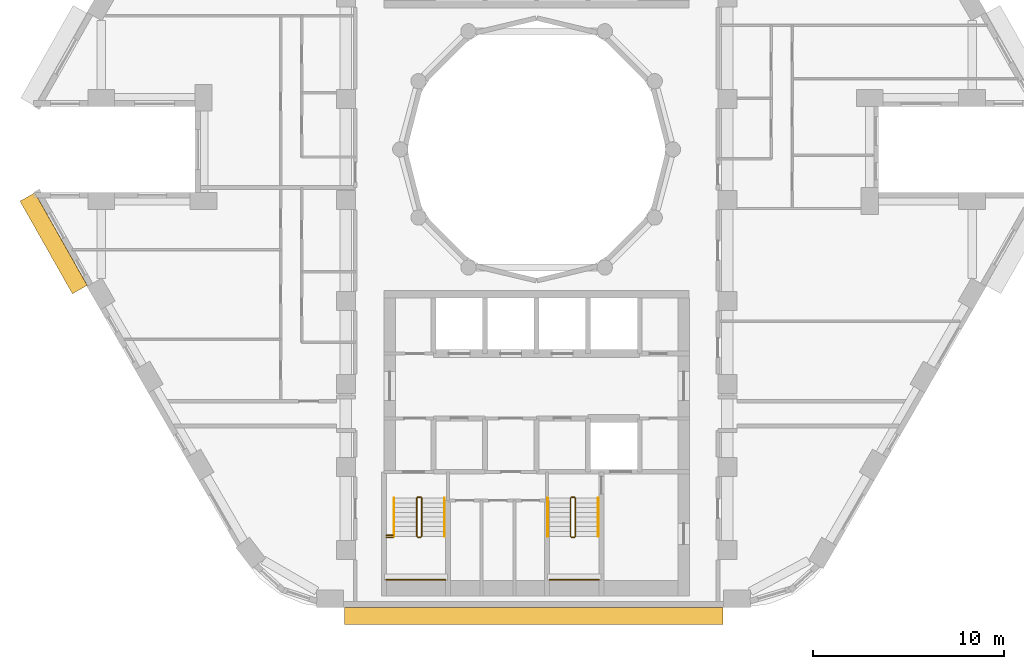
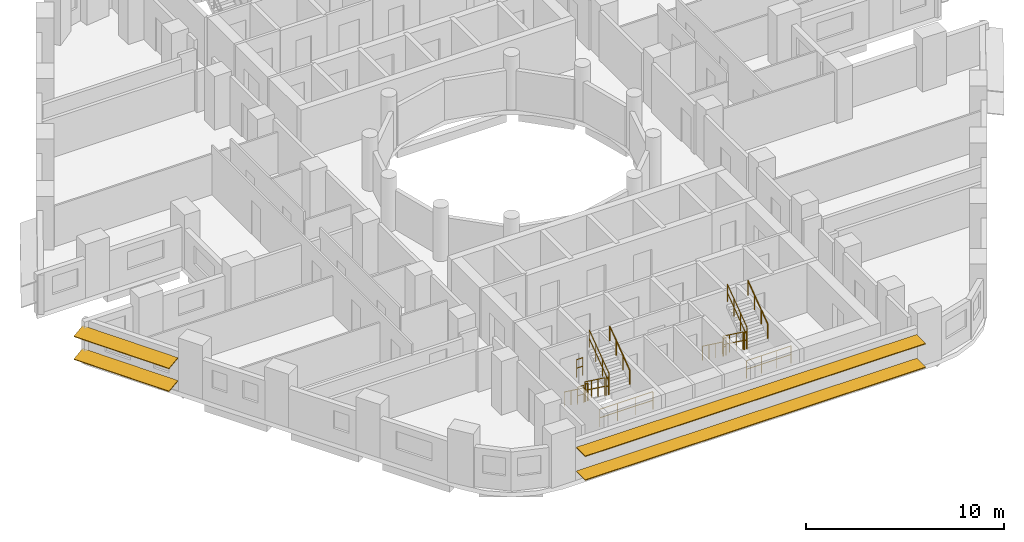
# One storey, part 10 of 12: 16 railings, 4 shading devices.
"""IFC4 building model written with IfcOpenShell, lengths in metres."""

import ifcopenshell
import ifcopenshell.guid

model = None  # the IFC model being written
_history = None  # IfcOwnerHistory: only IFC2X3 demands one
_inside = {}  # id of a spatial element -> (the spatial element, [elements in it])
_under = {}  # id of a project, library or spatial element -> (it, [spatial elements below it])
_declared = {}  # id of a project -> (the project, [libraries it declares])
_typed = {}  # id of a type object -> (the type object, [elements of that type])
_made_of = {}  # id of a material, layer set ... -> (it, [elements and type objects made of it])


def new_model(schema):
    """Start an empty IFC model of exactly this schema.

    Asked for "IFC4X3", IfcOpenShell would pick the latest addendum, in which some entities
    have other attributes; the version numbers below select the first issue.
    IFC2X3 requires an IfcOwnerHistory on every rooted entity: one is made here for all.
    """
    global model, _history
    if schema == "IFC4X3":
        model = ifcopenshell.file(schema_version=(4, 3, 0, 0))
    else:
        model = ifcopenshell.file(schema=schema)
    _inside.clear()
    _under.clear()
    _declared.clear()
    _typed.clear()
    _made_of.clear()
    _history = None
    if model.schema == "IFC2X3":
        org = make("IfcOrganization", Name="unknown")
        user = make(
            "IfcPersonAndOrganization",
            ThePerson=make("IfcPerson", FamilyName="unknown"),
            TheOrganization=org,
        )
        app = make(
            "IfcApplication",
            ApplicationDeveloper=org,
            Version="unknown",
            ApplicationFullName="unknown",
            ApplicationIdentifier="unknown",
        )
        _history = make(
            "IfcOwnerHistory",
            OwningUser=user,
            OwningApplication=app,
            ChangeAction="ADDED",
            CreationDate=0,
        )
    return model


def make(cls, **values):
    """One entity of the class cls with the attributes given. An attribute that is None is left unset."""
    return model.create_entity(
        cls, **{name: value for name, value in values.items() if value is not None}
    )


def rooted(cls, **values):
    """An entity with a GlobalId (a new one), such as an element, a storey or a relation."""
    return make(cls, GlobalId=ifcopenshell.guid.new(), OwnerHistory=_history, **values)


def si_unit(unit_type, name, prefix=None):
    """IfcSIUnit, for example si_unit("LENGTHUNIT", "METRE", prefix="MILLI")."""
    return make("IfcSIUnit", UnitType=unit_type, Prefix=prefix, Name=name)


def assignment(units):
    """IfcUnitAssignment: the units of a project."""
    return None if units is None else make("IfcUnitAssignment", Units=units)


def point(xyz):
    """IfcCartesianPoint."""
    return None if xyz is None else make("IfcCartesianPoint", Coordinates=xyz)


def direction(xyz):
    """IfcDirection."""
    return None if xyz is None else make("IfcDirection", DirectionRatios=xyz)


def frame(location, z_axis=None, x_axis=None):
    """IfcAxis2Placement3D, a coordinate frame: its origin and axes. An axis left out is left unset."""
    return make(
        "IfcAxis2Placement3D",
        Location=point(location),
        Axis=direction(z_axis),
        RefDirection=direction(x_axis),
    )


def frame_2d(location, x_axis=None):
    """IfcAxis2Placement2D, a coordinate frame in the plane: its origin and x axis."""
    return make(
        "IfcAxis2Placement2D", Location=point(location), RefDirection=direction(x_axis)
    )


def origin():
    """The frame at (0, 0, 0) with its axes left unset."""
    return frame((0.0, 0.0, 0.0))


def origin_2d():
    """The frame at (0, 0) in the plane with its x axis left unset."""
    return frame_2d((0.0, 0.0))


def place(relative_to, where):
    """IfcLocalPlacement: puts the frame where relative to a parent placement (None: the world)."""
    return make(
        "IfcLocalPlacement", PlacementRelTo=relative_to, RelativePlacement=where
    )


def context(
    kind, dimensions, precision=None, world=None, true_north=None, identifier=None
):
    """IfcGeometricRepresentationContext, for example the 3D "Model" context."""
    return make(
        "IfcGeometricRepresentationContext",
        ContextIdentifier=identifier,
        ContextType=kind,
        CoordinateSpaceDimension=dimensions,
        Precision=precision,
        WorldCoordinateSystem=world,
        TrueNorth=true_north,
    )


def subcontext(parent, identifier, kind, view, scale=None):
    """IfcGeometricRepresentationSubContext, for example "Body" below "Model"."""
    return make(
        "IfcGeometricRepresentationSubContext",
        ContextIdentifier=identifier,
        ContextType=kind,
        ParentContext=parent,
        TargetScale=scale,
        TargetView=view,
    )


def project(units=None, contexts=None):
    """IfcProject with its units and contexts."""
    return rooted(
        "IfcProject",
        Name="project",
        RepresentationContexts=contexts,
        UnitsInContext=assignment(units),
    )


def spatial(cls, under=None, at=None, **own):
    """A site, building, storey or space (cls), placed at a placement, below another one or the project."""
    s = rooted(cls, ObjectPlacement=at, **own)
    if under is not None:
        _under.setdefault(under.id(), (under, []))[1].append(s)
    return s


def profile(cls, at=None, kind="AREA", **sizes):
    """A parametric profile (cls). Its sizes go by their IFC names, for example OverallWidth=200.0."""
    return make(cls, ProfileType=kind, Position=at, **sizes)


def rectangle(**sizes):
    """IfcRectangleProfileDef."""
    return profile("IfcRectangleProfileDef", **sizes)


def circle(**sizes):
    """IfcCircleProfileDef."""
    return profile("IfcCircleProfileDef", **sizes)


def extrude(swept, where, along, depth):
    """IfcExtrudedAreaSolid: the profile swept, set in the frame where, extruded along a direction by depth."""
    return make(
        "IfcExtrudedAreaSolid",
        SweptArea=swept,
        Position=where,
        ExtrudedDirection=direction(along),
        Depth=depth,
    )


def shape(context_of_items, identifier, shape_type, items):
    """IfcShapeRepresentation: the items that make up one representation, for example the "Body"."""
    return make(
        "IfcShapeRepresentation",
        ContextOfItems=context_of_items,
        RepresentationIdentifier=identifier,
        RepresentationType=shape_type,
        Items=items,
    )


def material(Name=None, Category=None):
    """IfcMaterial."""
    return make("IfcMaterial", Name=Name, Category=Category)


def material_profile(
    of_material, cross_section, Name=None, Category=None, Priority=None
):
    """IfcMaterialProfile: a cross section and its material."""
    return make(
        "IfcMaterialProfile",
        Name=Name,
        Material=of_material,
        Profile=cross_section,
        Priority=Priority,
        Category=Category,
    )


def profile_set(profiles, Name=None, composite=None):
    """IfcMaterialProfileSet."""
    return make(
        "IfcMaterialProfileSet",
        Name=Name,
        MaterialProfiles=profiles,
        CompositeProfile=composite,
    )


def made_of(thing, what):
    """Note that an element or type object is made of a material, layer set ...; save() writes the relation."""
    if what is not None:
        _made_of.setdefault(what.id(), (what, []))[1].append(thing)
    return thing


def type_object(cls, material=None, **own):
    """A type object (cls), such as IfcWallType, which elements share."""
    return made_of(rooted(cls, **own), material)


def element(
    cls,
    number,
    at=None,
    inside=None,
    cuts=None,
    type_object=None,
    material=None,
    context=None,
    identifier="Body",
    shape_type=None,
    held_by="IfcProductDefinitionShape",
    body=None,
    shapes=None,
    **own,
):
    """One element of the class cls, such as IfcWall. Its Tag is "e" and its number.

    at: its placement. inside: the storey or other place that contains it. cuts: it is an
    opening in that element (IfcRelVoidsElement). A single representation is given by context,
    identifier, shape_type and body (its items); several are given by shapes. held_by: the class
    of the entity that holds the representations. save() writes the other relations.
    """
    e = rooted(cls, Tag="e%d" % number, ObjectPlacement=at, **own)
    if body is not None:
        shapes = [shape(context, identifier, shape_type, body)]
    if shapes is not None:
        e.Representation = make(held_by, Representations=shapes)
    if inside is not None:
        _inside.setdefault(inside.id(), (inside, []))[1].append(e)
    if cuts is not None:
        rooted(
            "IfcRelVoidsElement", RelatingBuildingElement=cuts, RelatedOpeningElement=e
        )
    if type_object is not None:
        _typed.setdefault(type_object.id(), (type_object, []))[1].append(e)
    return made_of(e, material)


def aggregate(whole, parts):
    """IfcRelAggregates: a whole, such as a stair, and the parts it consists of."""
    return rooted("IfcRelAggregates", RelatingObject=whole, RelatedObjects=parts)


def save(model, path):
    """Write the relations noted so far, then the file.

    IfcRelAggregates (storeys below a building ...), IfcRelContainedInSpatialStructure (elements
    in a storey), IfcRelDefinesByType, IfcRelAssociatesMaterial and IfcRelDeclares: one each for
    every whole, place, type object, material and project.
    """
    for whole, parts in _under.values():
        aggregate(whole, parts)
    for where, things in _inside.values():
        rooted(
            "IfcRelContainedInSpatialStructure",
            RelatedElements=things,
            RelatingStructure=where,
        )
    for kind, things in _typed.values():
        rooted("IfcRelDefinesByType", RelatedObjects=things, RelatingType=kind)
    for what, things in _made_of.values():
        rooted("IfcRelAssociatesMaterial", RelatedObjects=things, RelatingMaterial=what)
    for by, libraries in _declared.values():
        rooted("IfcRelDeclares", RelatingContext=by, RelatedDefinitions=libraries)
    model.write(path)


model = new_model("IFC4")

# Units and contexts
model_context = context("Model", 3, precision=1e-05, world=origin(), true_north=direction((0.0, 1.0)))
body_context = subcontext(model_context, "Body", "Model", "MODEL_VIEW")
ifc_project = project(units=[si_unit("LENGTHUNIT", "METRE"), si_unit("AREAUNIT", "SQUARE_METRE"), si_unit("VOLUMEUNIT", "CUBIC_METRE"), si_unit("PLANEANGLEUNIT", "RADIAN"), si_unit("MASSUNIT", "GRAM", prefix="KILO")], contexts=[model_context])

# Site, building, storey
site_placement = place(None, origin())
site = spatial("IfcSite", under=ifc_project, at=site_placement, CompositionType="ELEMENT")
building_placement = place(site_placement, origin())
building = spatial("IfcBuilding", under=site, at=building_placement, Name="Nakaniwa Court", CompositionType="ELEMENT")
storey_placement = place(building_placement, frame((0.0, 0.0, 97.5)))
storey = spatial("IfcBuildingStorey", under=building, at=storey_placement, Name="L25", CompositionType="ELEMENT", Elevation=97.5)

# Shading devices
ifc_material_1 = material(Name="Perforated charcoal ceramic louvre blade")
ifc_material_profile = material_profile(ifc_material_1, rectangle(XDim=0.89990234375, YDim=0.050048828125, at=origin_2d()), Name="Perforated ceramic louvre blade")
ifc_profile_set = profile_set([ifc_material_profile], Name="Perforated charcoal ceramic louvre blade")
shading_device_type = type_object("IfcShadingDeviceType", Name="Perforated ceramic louvre blade", PredefinedType="JALOUSIE", material=ifc_profile_set)
for number, where, z_axis, x_axis, name in (
    (1, (53.31689453125, 77.508056640625, 0.550048828125), (0.492438058427, -0.870347493024, 0.0), (0.862701960504, 0.488112256124, 0.132256390257), "L25 perforated ceramic louvre blade w20 1"),
    (2, (53.31689453125, 77.508056640625, 1.955810546875), (0.492438058427, -0.870347493024, 0.0), (0.862701960504, 0.488112256124, 0.132256390257), "L25 perforated ceramic louvre blade w20 2"),
):
    element("IfcShadingDevice", number, at=place(storey_placement, frame(where, z_axis=z_axis, x_axis=x_axis)), inside=storey, type_object=shading_device_type, Name=name, PredefinedType="JALOUSIE", context=body_context, shape_type="SweptSolid", body=[
        extrude(rectangle(XDim=0.89990234375, YDim=0.050048828125, at=origin_2d()), origin(), (0.0, 0.0, 1.0), 5.576416015625),
    ])
for number, where, z_axis, x_axis, name in (
    (3, (69.92138671875, 55.550048828125, 0.550048828125), (1.0, 0.0, 0.0), (0.0, 1.0, 0.0), "L25 perforated ceramic louvre blade w26 1"),
    (4, (69.92138671875, 55.550048828125, 2.014892578125), (1.0, 0.0, 0.0), (0.0, 1.0, 0.0), "L25 perforated ceramic louvre blade w26 2"),
):
    element("IfcShadingDevice", number, at=place(storey_placement, frame(where, z_axis=z_axis, x_axis=x_axis)), inside=storey, type_object=shading_device_type, Name=name, PredefinedType="JALOUSIE", context=body_context, shape_type="SweptSolid", body=[
        extrude(rectangle(XDim=0.89990234375, YDim=0.050048828125, at=origin_2d()), origin(), (0.0, 0.0, 1.0), 19.839599609375),
    ])

# Railings
ifc_material_2 = material(Name="Black powder coated steel guard", Category="steel")
railing_type_1 = type_object("IfcRailingType", Name="Stair guard 1100", PredefinedType="GUARDRAIL", material=ifc_material_2)
railing_1_placement = place(storey_placement, frame((73.72509765625, 61.72509765625, 0.183349609375)))
element("IfcRailing", 5, at=railing_1_placement, inside=storey, type_object=railing_type_1, Name="L25 ST3 stair guard 1", PredefinedType="GUARDRAIL", context=body_context, shape_type="SweptSolid", body=[
    extrude(circle(Radius=0.02392578125, at=origin_2d()), frame((0.0, 0.0, 1.076171875), z_axis=(0.0, -0.806426902644, 0.591333789573), x_axis=(1.0, 0.0, 0.0)), (0.0, 0.0, 1.0), 2.47998046875),
    extrude(circle(Radius=0.02392578125, at=origin_2d()), frame((0.0, 0.0, 0.550048828125), z_axis=(0.0, -0.806426902644, 0.591333789573), x_axis=(1.0, 0.0, 0.0)), (0.0, 0.0, 1.0), 2.47998046875),
    extrude(circle(Radius=0.02099609375, at=origin_2d()), origin(), (0.0, 0.0, 1.0), 1.052001953125),
    extrude(circle(Radius=0.02099609375, at=origin_2d()), frame((0.0, -0.666748046875, 0.48876953125)), (0.0, 0.0, 1.0), 1.052001953125),
    extrude(circle(Radius=0.02099609375, at=origin_2d()), frame((0.0, -1.333251953125, 0.977783203125)), (0.0, 0.0, 1.0), 1.052001953125),
    extrude(circle(Radius=0.02099609375, at=origin_2d()), frame((0.0, -2.0, 1.466552734375)), (0.0, 0.0, 1.0), 1.052001953125),
])
railing_2_placement = place(storey_placement, frame((73.77490234375, 59.675048828125, 1.64990234375)))
element("IfcRailing", 6, at=railing_2_placement, inside=storey, type_object=railing_type_1, Name="L25 ST3 stair guard 2", PredefinedType="GUARDRAIL", context=body_context, shape_type="SweptSolid", body=[
    extrude(circle(Radius=0.02392578125, at=origin_2d()), frame((0.0, 0.0, 1.076171875), z_axis=(1.0, 0.0, 0.0), x_axis=(0.0, 1.0, 0.0)), (0.0, 0.0, 1.0), 0.150146484375),
    extrude(circle(Radius=0.02392578125, at=origin_2d()), frame((0.0, 0.0, 0.550048828125), z_axis=(1.0, 0.0, 0.0), x_axis=(0.0, 1.0, 0.0)), (0.0, 0.0, 1.0), 0.150146484375),
    extrude(circle(Radius=0.02099609375, at=origin_2d()), origin(), (0.0, 0.0, 1.0), 1.052001953125),
    extrude(circle(Radius=0.02099609375, at=origin_2d()), frame((0.150146484375, 0.0, 0.0)), (0.0, 0.0, 1.0), 1.052001953125),
])
railing_3_placement = place(storey_placement, frame((73.97509765625, 59.72509765625, 1.833251953125)))
element("IfcRailing", 7, at=railing_3_placement, inside=storey, type_object=railing_type_1, Name="L25 ST3 stair guard 3", PredefinedType="GUARDRAIL", context=body_context, shape_type="SweptSolid", body=[
    extrude(circle(Radius=0.02392578125, at=origin_2d()), frame((0.0, 0.0, 1.076171875), z_axis=(0.0, 0.806379959628, 0.591397802423), x_axis=(-1.0, 0.0, 0.0)), (0.0, 0.0, 1.0), 2.480224609375),
    extrude(circle(Radius=0.02392578125, at=origin_2d()), frame((0.0, 0.0, 0.550048828125), z_axis=(0.0, 0.806379959628, 0.591397802423), x_axis=(-1.0, 0.0, 0.0)), (0.0, 0.0, 1.0), 2.480224609375),
    extrude(circle(Radius=0.02099609375, at=origin_2d()), origin(), (0.0, 0.0, 1.0), 1.052001953125),
    extrude(circle(Radius=0.02099609375, at=origin_2d()), frame((0.0, 0.666748046875, 0.489013671875)), (0.0, 0.0, 1.0), 1.052001953125),
    extrude(circle(Radius=0.02099609375, at=origin_2d()), frame((0.0, 1.333251953125, 0.977783203125)), (0.0, 0.0, 1.0), 1.052001953125),
    extrude(circle(Radius=0.02099609375, at=origin_2d()), frame((0.0, 2.0, 1.466796875)), (0.0, 0.0, 1.0), 1.052001953125),
])
railing_4_placement = place(storey_placement, frame((73.77490234375, 61.77490234375, 0.0)))
element("IfcRailing", 8, at=railing_4_placement, inside=storey, type_object=railing_type_1, Name="L25 ST3 stair guard 4", PredefinedType="GUARDRAIL", context=body_context, shape_type="SweptSolid", body=[
    extrude(circle(Radius=0.02392578125, at=origin_2d()), frame((0.0, 0.0, 1.076171875), z_axis=(1.0, 0.0, 0.0), x_axis=(0.0, 1.0, 0.0)), (0.0, 0.0, 1.0), 0.150146484375),
    extrude(circle(Radius=0.02392578125, at=origin_2d()), frame((0.0, 0.0, 0.550048828125), z_axis=(1.0, 0.0, 0.0), x_axis=(0.0, 1.0, 0.0)), (0.0, 0.0, 1.0), 0.150146484375),
    extrude(circle(Radius=0.02099609375, at=origin_2d()), origin(), (0.0, 0.0, 1.0), 1.052001953125),
    extrude(circle(Radius=0.02099609375, at=origin_2d()), frame((0.150146484375, 0.0, 0.0)), (0.0, 0.0, 1.0), 1.052001953125),
])
railing_5_placement = place(storey_placement, frame((72.125, 57.449951171875, 1.64990234375)))
element("IfcRailing", 9, at=railing_5_placement, inside=storey, type_object=railing_type_1, Name="L25 ST3 landing end guard 1", PredefinedType="GUARDRAIL", context=body_context, shape_type="SweptSolid", body=[
    extrude(circle(Radius=0.02392578125, at=origin_2d()), frame((0.0, 0.0, 1.076171875), z_axis=(1.0, 0.0, 0.0), x_axis=(0.0, 1.0, 0.0)), (0.0, 0.0, 1.0), 3.10009765625),
    extrude(circle(Radius=0.02392578125, at=origin_2d()), frame((0.0, 0.0, 0.550048828125), z_axis=(1.0, 0.0, 0.0), x_axis=(0.0, 1.0, 0.0)), (0.0, 0.0, 1.0), 3.10009765625),
    extrude(circle(Radius=0.02099609375, at=origin_2d()), origin(), (0.0, 0.0, 1.0), 1.052001953125),
    extrude(circle(Radius=0.02099609375, at=origin_2d()), frame((1.033447265625, 0.0, 0.0)), (0.0, 0.0, 1.0), 1.052001953125),
    extrude(circle(Radius=0.02099609375, at=origin_2d()), frame((2.066650390625, 0.0, 0.0)), (0.0, 0.0, 1.0), 1.052001953125),
    extrude(circle(Radius=0.02099609375, at=origin_2d()), frame((3.10009765625, 0.0, 0.0)), (0.0, 0.0, 1.0), 1.052001953125),
])
for number, where, name in (
    (10, (72.125, 59.675048828125, 1.64990234375), "L25 ST3 landing side guard 1W"),
    (11, (72.125, 59.77490234375, 3.300048828125), "L25 ST3 floor edge guard 1W"),
):
    element("IfcRailing", number, at=place(storey_placement, frame(where)), inside=storey, type_object=railing_type_1, Name=name, PredefinedType="GUARDRAIL", context=body_context, shape_type="SweptSolid", body=[
        extrude(circle(Radius=0.02392578125, at=origin_2d()), frame((0.0, 0.0, 1.076171875), z_axis=(1.0, 0.0, 0.0), x_axis=(0.0, 1.0, 0.0)), (0.0, 0.0, 1.0), 0.35009765625),
        extrude(circle(Radius=0.02392578125, at=origin_2d()), frame((0.0, 0.0, 0.550048828125), z_axis=(1.0, 0.0, 0.0), x_axis=(0.0, 1.0, 0.0)), (0.0, 0.0, 1.0), 0.35009765625),
        extrude(circle(Radius=0.02099609375, at=origin_2d()), origin(), (0.0, 0.0, 1.0), 1.052001953125),
        extrude(circle(Radius=0.02099609375, at=origin_2d()), frame((0.35009765625, 0.0, 0.0)), (0.0, 0.0, 1.0), 1.052001953125),
    ])
railing_6_placement = place(storey_placement, frame((81.77490234375, 61.72509765625, 0.183349609375)))
element("IfcRailing", 12, at=railing_6_placement, inside=storey, type_object=railing_type_1, Name="L25 ST4 stair guard 1", PredefinedType="GUARDRAIL", context=body_context, shape_type="SweptSolid", body=[
    extrude(circle(Radius=0.02392578125, at=origin_2d()), frame((0.0, 0.0, 1.076171875), z_axis=(0.0, -0.806426902644, 0.591333789573), x_axis=(1.0, 0.0, 0.0)), (0.0, 0.0, 1.0), 2.47998046875),
    extrude(circle(Radius=0.02392578125, at=origin_2d()), frame((0.0, 0.0, 0.550048828125), z_axis=(0.0, -0.806426902644, 0.591333789573), x_axis=(1.0, 0.0, 0.0)), (0.0, 0.0, 1.0), 2.47998046875),
    extrude(circle(Radius=0.02099609375, at=origin_2d()), origin(), (0.0, 0.0, 1.0), 1.052001953125),
    extrude(circle(Radius=0.02099609375, at=origin_2d()), frame((0.0, -0.666748046875, 0.48876953125)), (0.0, 0.0, 1.0), 1.052001953125),
    extrude(circle(Radius=0.02099609375, at=origin_2d()), frame((0.0, -1.333251953125, 0.977783203125)), (0.0, 0.0, 1.0), 1.052001953125),
    extrude(circle(Radius=0.02099609375, at=origin_2d()), frame((0.0, -2.0, 1.466552734375)), (0.0, 0.0, 1.0), 1.052001953125),
])
railing_7_placement = place(storey_placement, frame((81.824951171875, 59.675048828125, 1.64990234375)))
element("IfcRailing", 13, at=railing_7_placement, inside=storey, type_object=railing_type_1, Name="L25 ST4 stair guard 2", PredefinedType="GUARDRAIL", context=body_context, shape_type="SweptSolid", body=[
    extrude(circle(Radius=0.02392578125, at=origin_2d()), frame((0.0, 0.0, 1.076171875), z_axis=(1.0, 0.0, 0.0), x_axis=(0.0, 1.0, 0.0)), (0.0, 0.0, 1.0), 0.150146484375),
    extrude(circle(Radius=0.02392578125, at=origin_2d()), frame((0.0, 0.0, 0.550048828125), z_axis=(1.0, 0.0, 0.0), x_axis=(0.0, 1.0, 0.0)), (0.0, 0.0, 1.0), 0.150146484375),
    extrude(circle(Radius=0.02099609375, at=origin_2d()), origin(), (0.0, 0.0, 1.0), 1.052001953125),
    extrude(circle(Radius=0.02099609375, at=origin_2d()), frame((0.150146484375, 0.0, 0.0)), (0.0, 0.0, 1.0), 1.052001953125),
])
railing_8_placement = place(storey_placement, frame((82.02490234375, 59.72509765625, 1.833251953125)))
element("IfcRailing", 14, at=railing_8_placement, inside=storey, type_object=railing_type_1, Name="L25 ST4 stair guard 3", PredefinedType="GUARDRAIL", context=body_context, shape_type="SweptSolid", body=[
    extrude(circle(Radius=0.02392578125, at=origin_2d()), frame((0.0, 0.0, 1.076171875), z_axis=(0.0, 0.806379959628, 0.591397802423), x_axis=(-1.0, 0.0, 0.0)), (0.0, 0.0, 1.0), 2.480224609375),
    extrude(circle(Radius=0.02392578125, at=origin_2d()), frame((0.0, 0.0, 0.550048828125), z_axis=(0.0, 0.806379959628, 0.591397802423), x_axis=(-1.0, 0.0, 0.0)), (0.0, 0.0, 1.0), 2.480224609375),
    extrude(circle(Radius=0.02099609375, at=origin_2d()), origin(), (0.0, 0.0, 1.0), 1.052001953125),
    extrude(circle(Radius=0.02099609375, at=origin_2d()), frame((0.0, 0.666748046875, 0.489013671875)), (0.0, 0.0, 1.0), 1.052001953125),
    extrude(circle(Radius=0.02099609375, at=origin_2d()), frame((0.0, 1.333251953125, 0.977783203125)), (0.0, 0.0, 1.0), 1.052001953125),
    extrude(circle(Radius=0.02099609375, at=origin_2d()), frame((0.0, 2.0, 1.466796875)), (0.0, 0.0, 1.0), 1.052001953125),
])
railing_9_placement = place(storey_placement, frame((81.824951171875, 61.77490234375, 0.0)))
element("IfcRailing", 15, at=railing_9_placement, inside=storey, type_object=railing_type_1, Name="L25 ST4 stair guard 4", PredefinedType="GUARDRAIL", context=body_context, shape_type="SweptSolid", body=[
    extrude(circle(Radius=0.02392578125, at=origin_2d()), frame((0.0, 0.0, 1.076171875), z_axis=(1.0, 0.0, 0.0), x_axis=(0.0, 1.0, 0.0)), (0.0, 0.0, 1.0), 0.150146484375),
    extrude(circle(Radius=0.02392578125, at=origin_2d()), frame((0.0, 0.0, 0.550048828125), z_axis=(1.0, 0.0, 0.0), x_axis=(0.0, 1.0, 0.0)), (0.0, 0.0, 1.0), 0.150146484375),
    extrude(circle(Radius=0.02099609375, at=origin_2d()), origin(), (0.0, 0.0, 1.0), 1.052001953125),
    extrude(circle(Radius=0.02099609375, at=origin_2d()), frame((0.150146484375, 0.0, 0.0)), (0.0, 0.0, 1.0), 1.052001953125),
])
railing_10_placement = place(storey_placement, frame((80.675048828125, 57.449951171875, 1.64990234375)))
element("IfcRailing", 16, at=railing_10_placement, inside=storey, type_object=railing_type_1, Name="L25 ST4 landing end guard 1", PredefinedType="GUARDRAIL", context=body_context, shape_type="SweptSolid", body=[
    extrude(circle(Radius=0.02392578125, at=origin_2d()), frame((0.0, 0.0, 1.076171875), z_axis=(1.0, 0.0, 0.0), x_axis=(0.0, 1.0, 0.0)), (0.0, 0.0, 1.0), 2.599853515625),
    extrude(circle(Radius=0.02392578125, at=origin_2d()), frame((0.0, 0.0, 0.550048828125), z_axis=(1.0, 0.0, 0.0), x_axis=(0.0, 1.0, 0.0)), (0.0, 0.0, 1.0), 2.599853515625),
    extrude(circle(Radius=0.02099609375, at=origin_2d()), origin(), (0.0, 0.0, 1.0), 1.052001953125),
    extrude(circle(Radius=0.02099609375, at=origin_2d()), frame((0.86669921875, 0.0, 0.0)), (0.0, 0.0, 1.0), 1.052001953125),
    extrude(circle(Radius=0.02099609375, at=origin_2d()), frame((1.733154296875, 0.0, 0.0)), (0.0, 0.0, 1.0), 1.052001953125),
    extrude(circle(Radius=0.02099609375, at=origin_2d()), frame((2.599853515625, 0.0, 0.0)), (0.0, 0.0, 1.0), 1.052001953125),
])
ifc_material_3 = material(Name="Black powder coated steel handrail", Category="steel")
railing_type_2 = type_object("IfcRailingType", Name="Stair handrail 900", PredefinedType="HANDRAIL", material=ifc_material_3)
railing_11_placement = place(storey_placement, frame((72.52490234375, 61.72509765625, 0.183349609375)))
element("IfcRailing", 17, at=railing_11_placement, inside=storey, type_object=railing_type_2, Name="L25 ST3 stair handrail 1", PredefinedType="HANDRAIL", context=body_context, shape_type="SweptSolid", body=[
    extrude(circle(Radius=0.02392578125, at=origin_2d()), frame((0.0, 0.0, 0.8759765625), z_axis=(0.0, -0.806426902644, 0.591333789573), x_axis=(1.0, 0.0, 0.0)), (0.0, 0.0, 1.0), 2.47998046875),
    extrude(circle(Radius=0.02099609375, at=origin_2d()), origin(), (0.0, 0.0, 1.0), 0.851806640625),
    extrude(circle(Radius=0.02099609375, at=origin_2d()), frame((0.0, -0.666748046875, 0.48876953125)), (0.0, 0.0, 1.0), 0.851806640625),
    extrude(circle(Radius=0.02099609375, at=origin_2d()), frame((0.0, -1.333251953125, 0.977783203125)), (0.0, 0.0, 1.0), 0.851806640625),
    extrude(circle(Radius=0.02099609375, at=origin_2d()), frame((0.0, -2.0, 1.466552734375)), (0.0, 0.0, 1.0), 0.851806640625),
])
railing_12_placement = place(storey_placement, frame((75.175048828125, 59.72509765625, 1.833251953125)))
element("IfcRailing", 18, at=railing_12_placement, inside=storey, type_object=railing_type_2, Name="L25 ST3 stair handrail 2", PredefinedType="HANDRAIL", context=body_context, shape_type="SweptSolid", body=[
    extrude(circle(Radius=0.02392578125, at=origin_2d()), frame((0.0, 0.0, 0.8759765625), z_axis=(0.0, 0.806379959628, 0.591397802423), x_axis=(-1.0, 0.0, 0.0)), (0.0, 0.0, 1.0), 2.480224609375),
    extrude(circle(Radius=0.02099609375, at=origin_2d()), origin(), (0.0, 0.0, 1.0), 0.851806640625),
    extrude(circle(Radius=0.02099609375, at=origin_2d()), frame((0.0, 0.666748046875, 0.489013671875)), (0.0, 0.0, 1.0), 0.851806640625),
    extrude(circle(Radius=0.02099609375, at=origin_2d()), frame((0.0, 1.333251953125, 0.977783203125)), (0.0, 0.0, 1.0), 0.851806640625),
    extrude(circle(Radius=0.02099609375, at=origin_2d()), frame((0.0, 2.0, 1.466796875)), (0.0, 0.0, 1.0), 0.851806640625),
])
railing_13_placement = place(storey_placement, frame((80.574951171875, 61.72509765625, 0.183349609375)))
element("IfcRailing", 19, at=railing_13_placement, inside=storey, type_object=railing_type_2, Name="L25 ST4 stair handrail 1", PredefinedType="HANDRAIL", context=body_context, shape_type="SweptSolid", body=[
    extrude(circle(Radius=0.02392578125, at=origin_2d()), frame((0.0, 0.0, 0.8759765625), z_axis=(0.0, -0.806426902644, 0.591333789573), x_axis=(1.0, 0.0, 0.0)), (0.0, 0.0, 1.0), 2.47998046875),
    extrude(circle(Radius=0.02099609375, at=origin_2d()), origin(), (0.0, 0.0, 1.0), 0.851806640625),
    extrude(circle(Radius=0.02099609375, at=origin_2d()), frame((0.0, -0.666748046875, 0.48876953125)), (0.0, 0.0, 1.0), 0.851806640625),
    extrude(circle(Radius=0.02099609375, at=origin_2d()), frame((0.0, -1.333251953125, 0.977783203125)), (0.0, 0.0, 1.0), 0.851806640625),
    extrude(circle(Radius=0.02099609375, at=origin_2d()), frame((0.0, -2.0, 1.466552734375)), (0.0, 0.0, 1.0), 0.851806640625),
])
railing_14_placement = place(storey_placement, frame((83.22509765625, 59.72509765625, 1.833251953125)))
element("IfcRailing", 20, at=railing_14_placement, inside=storey, type_object=railing_type_2, Name="L25 ST4 stair handrail 2", PredefinedType="HANDRAIL", context=body_context, shape_type="SweptSolid", body=[
    extrude(circle(Radius=0.02392578125, at=origin_2d()), frame((0.0, 0.0, 0.8759765625), z_axis=(0.0, 0.806379959628, 0.591397802423), x_axis=(-1.0, 0.0, 0.0)), (0.0, 0.0, 1.0), 2.480224609375),
    extrude(circle(Radius=0.02099609375, at=origin_2d()), origin(), (0.0, 0.0, 1.0), 0.851806640625),
    extrude(circle(Radius=0.02099609375, at=origin_2d()), frame((0.0, 0.666748046875, 0.489013671875)), (0.0, 0.0, 1.0), 0.851806640625),
    extrude(circle(Radius=0.02099609375, at=origin_2d()), frame((0.0, 1.333251953125, 0.977783203125)), (0.0, 0.0, 1.0), 0.851806640625),
    extrude(circle(Radius=0.02099609375, at=origin_2d()), frame((0.0, 2.0, 1.466796875)), (0.0, 0.0, 1.0), 0.851806640625),
])

save(model, "model.ifc")
